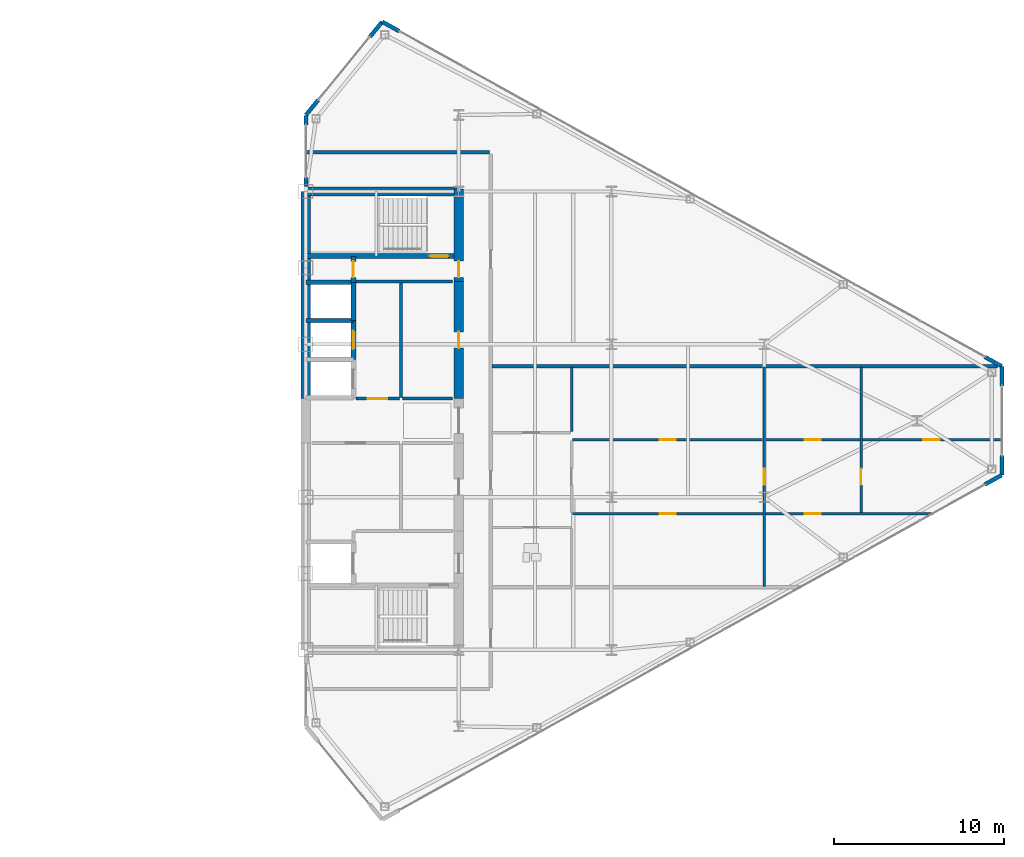
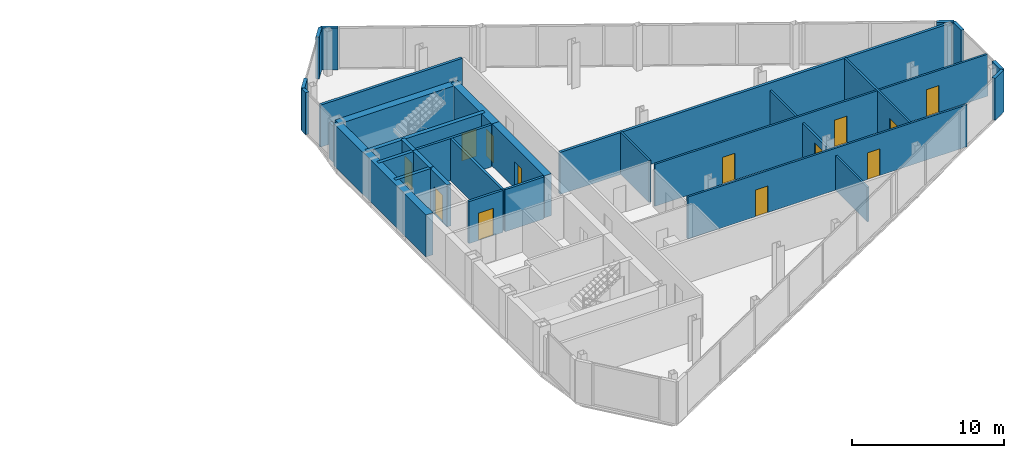
# One storey, part 22 of 25: 30 walls, 13 doors, 13 openings.
"""IFC4 building model written with IfcOpenShell, lengths in metres."""

from ifc_helpers import new_model, si_unit, direction, frame, frame_2d, origin, place, context, subcontext, project, spatial, rectangle, extrude, source, transform, mapped, material, layer, layer_set, type_object, type_shapes, element, fill, save


model = new_model("IFC4")

# Units and contexts
model_context = context("Model", 3, precision=1e-05, world=origin(), true_north=direction((0.0, 1.0)))
body_context = subcontext(model_context, "Body", "Model", "MODEL_VIEW")
ifc_project = project(units=[si_unit("LENGTHUNIT", "METRE"), si_unit("AREAUNIT", "SQUARE_METRE"), si_unit("VOLUMEUNIT", "CUBIC_METRE"), si_unit("PLANEANGLEUNIT", "RADIAN"), si_unit("MASSUNIT", "GRAM", prefix="KILO")], contexts=[model_context])

# Site, building, storey
site_placement = place(None, origin())
site = spatial("IfcSite", under=ifc_project, at=site_placement, CompositionType="ELEMENT")
building_placement = place(site_placement, origin())
building = spatial("IfcBuilding", under=site, at=building_placement, Name="Seokmaru Belvedere", CompositionType="ELEMENT")
storey_placement = place(building_placement, frame((0.0, 0.0, 185.10009765625)))
storey = spatial("IfcBuildingStorey", under=building, at=storey_placement, Name="L49", CompositionType="ELEMENT", Elevation=185.10009765625)

# Wall, openings, doors
ifc_material_1 = material(Name="Fire-Rated Gypsum Shaftwall")
ifc_layer_1 = layer(ifc_material_1, 0.14990234375)
ifc_layer_set_1 = layer_set([ifc_layer_1], Name="Fire-Rated Gypsum Shaftwall")
wall_type_1 = type_object("IfcWallType", Name="Apartment Fire-Acoustic Room Partition 150", PredefinedType="PARTITIONING", material=ifc_layer_set_1)
wall_1_placement = place(storey_placement, frame((43.199951171875, -5.469970703125, 0.0), z_axis=(0.0, 0.0, 1.0), x_axis=(1.0, 0.0, 0.0)))
wall_1 = element("IfcWall", 1, at=wall_1_placement, inside=storey, type_object=wall_type_1, Name="L49 Interior Partition 006", PredefinedType="PARTITIONING", context=body_context, shape_type="SweptSolid", body=[
    extrude(rectangle(XDim=21.259033203125, YDim=0.14990234375, at=frame_2d((10.62939453125, 0.0))), origin(), (0.0, 0.0, 1.0), 3.3798828125),
])
opening_1_placement = place(wall_1_placement, frame((5.14990234375, 0.0, 0.0)))
opening_1 = element("IfcOpeningElement", 2, at=opening_1_placement, cuts=wall_1, Name="Opening D05", PredefinedType="OPENING", context=body_context, shape_type="SweptSolid", body=[
    extrude(rectangle(XDim=0.949951171875, YDim=2.14990234375, at=frame_2d((0.47509765625, 1.074951171875))), frame((0.0, 0.0849609375, 0.0), z_axis=(0.0, -1.0, 0.0), x_axis=(1.0, 0.0, 0.0)), (0.0, 0.0, 1.0), 0.169921875),
])
opening_2_placement = place(wall_1_placement, frame((13.675048828125, 0.0, 0.0)))
opening_2 = element("IfcOpeningElement", 3, at=opening_2_placement, cuts=wall_1, Name="Opening D05", PredefinedType="OPENING", context=body_context, shape_type="SweptSolid", body=[
    extrude(rectangle(XDim=0.949951171875, YDim=2.14990234375, at=frame_2d((0.47509765625, 1.074951171875))), frame((0.0, 0.0849609375, 0.0), z_axis=(0.0, -1.0, 0.0), x_axis=(1.0, 0.0, 0.0)), (0.0, 0.0, 1.0), 0.169921875),
])
ifc_material_2 = material(Name="Engineered White Oak Timber", Category="wood")
door_type_1 = type_object("IfcDoorType", Name="Apartment Interior Fire-Rated Oak Door 950x2150", OperationType="NOTDEFINED", PredefinedType="DOOR", material=ifc_material_2)
shared_shape_1 = source(origin(), body_context, "Body", "SweptSolid", [
    extrude(rectangle(XDim=0.949951171875, YDim=2.14990234375, at=frame_2d((0.47509765625, 1.074951171875))), frame((0.0, 0.02490234375, 0.0), z_axis=(0.0, -1.0, 0.0), x_axis=(1.0, 0.0, 0.0)), (0.0, 0.0, 1.0), 0.050048828125),
])
type_shapes(door_type_1, [shared_shape_1])
door_1_placement = place(opening_1_placement, origin())
door_1 = element("IfcDoor", 4, at=door_1_placement, inside=storey, type_object=door_type_1, Name="L49 Interior Door 019", OperationType="SINGLE_SWING_RIGHT", OverallHeight=2.14990234375, OverallWidth=0.949951171875, PredefinedType="DOOR", context=body_context, shape_type="MappedRepresentation", body=[
    mapped(shared_shape_1, transform((0.0, 0.0, 0.0), scale=1.0)),
])
fill(opening_1, door_1)
door_2_placement = place(opening_2_placement, origin())
door_2 = element("IfcDoor", 5, at=door_2_placement, inside=storey, type_object=door_type_1, Name="L49 Interior Door 021", OperationType="SINGLE_SWING_RIGHT", OverallHeight=2.14990234375, OverallWidth=0.949951171875, PredefinedType="DOOR", context=body_context, shape_type="MappedRepresentation", body=[
    mapped(shared_shape_1, transform((0.0, 0.0, 0.0), scale=1.0)),
])
fill(opening_2, door_2)

wall_2_placement = place(storey_placement, frame((43.199951171875, -1.1298828125, 0.0), z_axis=(0.0, 0.0, 1.0), x_axis=(1.0, 0.0, 0.0)))
wall_2 = element("IfcWall", 6, at=wall_2_placement, inside=storey, type_object=wall_type_1, Name="L49 Interior Partition 009", PredefinedType="PARTITIONING", context=body_context, shape_type="SweptSolid", body=[
    extrude(rectangle(XDim=25.3349609375, YDim=0.14990234375, at=frame_2d((12.66748046875, 0.0))), origin(), (0.0, 0.0, 1.0), 3.3798828125),
])
opening_3_placement = place(wall_2_placement, frame((5.14990234375, 0.0, 0.0)))
opening_3 = element("IfcOpeningElement", 7, at=opening_3_placement, cuts=wall_2, Name="Opening D05", PredefinedType="OPENING", context=body_context, shape_type="SweptSolid", body=[
    extrude(rectangle(XDim=0.949951171875, YDim=2.14990234375, at=frame_2d((0.47509765625, 1.074951171875))), frame((0.0, 0.0849609375, 0.0), z_axis=(0.0, -1.0, 0.0), x_axis=(1.0, 0.0, 0.0)), (0.0, 0.0, 1.0), 0.169921875),
])
opening_4_placement = place(wall_2_placement, frame((20.675048828125, 0.0, 0.0)))
opening_4 = element("IfcOpeningElement", 8, at=opening_4_placement, cuts=wall_2, Name="Opening D05", PredefinedType="OPENING", context=body_context, shape_type="SweptSolid", body=[
    extrude(rectangle(XDim=0.949951171875, YDim=2.14990234375, at=frame_2d((0.47509765625, 1.074951171875))), frame((0.0, 0.0849609375, 0.0), z_axis=(0.0, -1.0, 0.0), x_axis=(1.0, 0.0, 0.0)), (0.0, 0.0, 1.0), 0.169921875),
])
opening_5_placement = place(wall_2_placement, frame((13.675048828125, 0.0, 0.0)))
opening_5 = element("IfcOpeningElement", 9, at=opening_5_placement, cuts=wall_2, Name="Opening D05", PredefinedType="OPENING", context=body_context, shape_type="SweptSolid", body=[
    extrude(rectangle(XDim=0.949951171875, YDim=2.14990234375, at=frame_2d((0.47509765625, 1.074951171875))), frame((0.0, 0.0849609375, 0.0), z_axis=(0.0, -1.0, 0.0), x_axis=(1.0, 0.0, 0.0)), (0.0, 0.0, 1.0), 0.169921875),
])
door_3_placement = place(opening_3_placement, origin())
door_3 = element("IfcDoor", 10, at=door_3_placement, inside=storey, type_object=door_type_1, Name="L49 Interior Door 020", OperationType="SINGLE_SWING_LEFT", OverallHeight=2.14990234375, OverallWidth=0.949951171875, PredefinedType="DOOR", context=body_context, shape_type="MappedRepresentation", body=[
    mapped(shared_shape_1, transform((0.0, 0.0, 0.0), scale=1.0)),
])
fill(opening_3, door_3)
door_4_placement = place(opening_4_placement, origin())
door_4 = element("IfcDoor", 11, at=door_4_placement, inside=storey, type_object=door_type_1, Name="L49 Interior Door 023", OperationType="SINGLE_SWING_RIGHT", OverallHeight=2.14990234375, OverallWidth=0.949951171875, PredefinedType="DOOR", context=body_context, shape_type="MappedRepresentation", body=[
    mapped(shared_shape_1, transform((0.0, 0.0, 0.0), scale=1.0)),
])
fill(opening_4, door_4)
door_5_placement = place(opening_5_placement, origin())
door_5 = element("IfcDoor", 12, at=door_5_placement, inside=storey, type_object=door_type_1, Name="L49 Interior Door 024", OperationType="SINGLE_SWING_RIGHT", OverallHeight=2.14990234375, OverallWidth=0.949951171875, PredefinedType="DOOR", context=body_context, shape_type="MappedRepresentation", body=[
    mapped(shared_shape_1, transform((0.0, 0.0, 0.0), scale=1.0)),
])
fill(opening_5, door_5)

# Wall
wall_3_placement = place(storey_placement, frame((43.14990234375, -0.64794921875, 0.0), z_axis=(0.0, 0.0, 1.0), x_axis=(0.0, 1.0, 0.0)))
element("IfcWall", 13, at=wall_3_placement, inside=storey, type_object=wall_type_1, Name="L49 Interior Partition 025", PredefinedType="PARTITIONING", context=body_context, shape_type="SweptSolid", body=[
    extrude(rectangle(XDim=3.7978515625, YDim=0.14990234375, at=frame_2d((1.89892578125, 0.0))), origin(), (0.0, 0.0, 1.0), 3.3798828125),
])

# Wall, opening, door
wall_4_placement = place(storey_placement, frame((54.5, -9.75, 0.0), z_axis=(0.0, 0.0, 1.0), x_axis=(0.0, 1.0, 0.0)))
wall_4 = element("IfcWall", 14, at=wall_4_placement, inside=storey, type_object=wall_type_1, Name="L49 Interior Partition 026", PredefinedType="PARTITIONING", context=body_context, shape_type="SweptSolid", body=[
    extrude(rectangle(XDim=12.89990234375, YDim=0.14990234375, at=frame_2d((6.449951171875, 0.0))), origin(), (0.0, 0.0, 1.0), 2.77978515625),
])
opening_6_placement = place(wall_4_placement, frame((5.97509765625, 0.0, 0.0)))
opening_6 = element("IfcOpeningElement", 15, at=opening_6_placement, cuts=wall_4, Name="Opening D05", PredefinedType="OPENING", context=body_context, shape_type="SweptSolid", body=[
    extrude(rectangle(XDim=0.949951171875, YDim=2.14990234375, at=frame_2d((0.47509765625, 1.074951171875))), frame((0.0, 0.0849609375, 0.0), z_axis=(0.0, -1.0, 0.0), x_axis=(1.0, 0.0, 0.0)), (0.0, 0.0, 1.0), 0.169921875),
])
door_6_placement = place(opening_6_placement, origin())
door_6 = element("IfcDoor", 16, at=door_6_placement, inside=storey, type_object=door_type_1, Name="L49 Interior Door 018", OperationType="SINGLE_SWING_LEFT", OverallHeight=2.14990234375, OverallWidth=0.949951171875, PredefinedType="DOOR", context=body_context, shape_type="MappedRepresentation", body=[
    mapped(shared_shape_1, transform((0.0, 0.0, 0.0), scale=1.0)),
])
fill(opening_6, door_6)

wall_5_placement = place(storey_placement, frame((60.199951171875, -5.4169921875, 0.0), z_axis=(0.0, 0.0, 1.0), x_axis=(0.0, 1.0, 0.0)))
wall_5 = element("IfcWall", 17, at=wall_5_placement, inside=storey, type_object=wall_type_1, Name="L49 Interior Partition 027", PredefinedType="PARTITIONING", context=body_context, shape_type="SweptSolid", body=[
    extrude(rectangle(XDim=8.56689453125, YDim=0.14990234375, at=frame_2d((4.283447265625, 0.0))), origin(), (0.0, 0.0, 1.0), 3.3798828125),
])
opening_7_placement = place(wall_5_placement, frame((1.64208984375, 0.0, 0.0)))
opening_7 = element("IfcOpeningElement", 18, at=opening_7_placement, cuts=wall_5, Name="Opening D05", PredefinedType="OPENING", context=body_context, shape_type="SweptSolid", body=[
    extrude(rectangle(XDim=0.949951171875, YDim=2.14990234375, at=frame_2d((0.47509765625, 1.074951171875))), frame((0.0, 0.0849609375, 0.0), z_axis=(0.0, -1.0, 0.0), x_axis=(1.0, 0.0, 0.0)), (0.0, 0.0, 1.0), 0.169921875),
])
door_7_placement = place(opening_7_placement, origin())
door_7 = element("IfcDoor", 19, at=door_7_placement, inside=storey, type_object=door_type_1, Name="L49 Interior Door 022", OperationType="SINGLE_SWING_LEFT", OverallHeight=2.14990234375, OverallWidth=0.949951171875, PredefinedType="DOOR", context=body_context, shape_type="MappedRepresentation", body=[
    mapped(shared_shape_1, transform((0.0, 0.0, 0.0), scale=1.0)),
])
fill(opening_7, door_7)

# Walls
ifc_layer_2 = layer(ifc_material_1, 0.179931640625)
ifc_layer_set_2 = layer_set([ifc_layer_2], Name="Fire-Rated Gypsum Shaftwall")
wall_type_2 = type_object("IfcWallType", Name="Core Service Fire Partition 180", PredefinedType="PARTITIONING", material=ifc_layer_set_2)
wall_6_placement = place(storey_placement, frame((30.449951171875, 8.199951171875, 0.0), z_axis=(0.0, 0.0, 1.0), x_axis=(1.0, 0.0, 0.0)))
element("IfcWall", 20, at=wall_6_placement, inside=storey, type_object=wall_type_2, Name="L49 East Smokeproof Vestibule Partition", PredefinedType="PARTITIONING", context=body_context, shape_type="SweptSolid", body=[
    extrude(rectangle(XDim=5.699951171875, YDim=0.179931640625, at=frame_2d((2.85009765625, 0.0))), origin(), (0.0, 0.0, 1.0), 3.3798828125),
])
wall_7_placement = place(storey_placement, frame((33.10009765625, 1.3798828125, 0.0), z_axis=(0.0, 0.0, 1.0), x_axis=(0.0, 1.0, 0.0)))
element("IfcWall", 21, at=wall_7_placement, inside=storey, type_object=wall_type_2, Name="L49 East North Core Service Back Wall", PredefinedType="PARTITIONING", context=body_context, shape_type="SweptSolid", body=[
    extrude(rectangle(XDim=6.740234375, YDim=0.179931640625, at=frame_2d((3.3701171875, 0.0))), origin(), (0.0, 0.0, 1.0), 3.3798828125),
])

# Wall, opening, door
wall_8_placement = place(storey_placement, frame((30.449951171875, 1.300048828125, 0.0), z_axis=(0.0, 0.0, 1.0), x_axis=(1.0, 0.0, 0.0)))
wall_8 = element("IfcWall", 22, at=wall_8_placement, inside=storey, type_object=wall_type_2, Name="L49 East North Lift Lobby Foyer Wall", PredefinedType="PARTITIONING", context=body_context, shape_type="SweptSolid", body=[
    extrude(rectangle(XDim=2.570068359375, YDim=0.179931640625, at=frame_2d((1.28515625, 0.0))), origin(), (0.0, 0.0, 1.0), 3.3798828125),
])
opening_8_placement = place(wall_8_placement, frame((0.7099609375, 0.0, 0.0)))
opening_8 = element("IfcOpeningElement", 23, at=opening_8_placement, cuts=wall_8, Name="Opening D02", PredefinedType="OPENING", context=body_context, shape_type="SweptSolid", body=[
    extrude(rectangle(XDim=1.14990234375, YDim=2.199951171875, at=frame_2d((0.574951171875, 1.10009765625))), frame((0.0, 0.10009765625, 0.0), z_axis=(0.0, -1.0, 0.0), x_axis=(1.0, 0.0, 0.0)), (0.0, 0.0, 1.0), 0.199951171875),
])
ifc_material_3 = material(Name="Fire-Rated Steel Leaf", Category="steel")
door_type_2 = type_object("IfcDoorType", Name="Lobby and Vestibule Fire Door 1150x2200", OperationType="NOTDEFINED", PredefinedType="DOOR", material=ifc_material_3)
shared_shape_2 = source(origin(), body_context, "Body", "SweptSolid", [
    extrude(rectangle(XDim=1.14990234375, YDim=2.199951171875, at=frame_2d((0.574951171875, 1.10009765625))), frame((0.0, 0.02490234375, 0.0), z_axis=(0.0, -1.0, 0.0), x_axis=(1.0, 0.0, 0.0)), (0.0, 0.0, 1.0), 0.050048828125),
])
type_shapes(door_type_2, [shared_shape_2])
door_8_placement = place(opening_8_placement, origin())
door_8 = element("IfcDoor", 24, at=door_8_placement, inside=storey, type_object=door_type_2, Name="L49 East North Lift Lobby Door", OperationType="SINGLE_SWING_LEFT", OverallHeight=2.199951171875, OverallWidth=1.14990234375, PredefinedType="DOOR", context=body_context, shape_type="MappedRepresentation", body=[
    mapped(shared_shape_2, transform((0.0, 0.0, 0.0), scale=1.0)),
])
fill(opening_8, door_8)

# Walls
wall_9_placement = place(storey_placement, frame((33.199951171875, 1.300048828125, 0.0), z_axis=(0.0, 0.0, 1.0), x_axis=(1.0, 0.0, 0.0)))
element("IfcWall", 25, at=wall_9_placement, inside=storey, type_object=wall_type_2, Name="L49 East Foyer Side Wall N", PredefinedType="PARTITIONING", context=body_context, shape_type="SweptSolid", body=[
    extrude(rectangle(XDim=2.949951171875, YDim=0.179931640625, at=frame_2d((1.47509765625, 0.0))), origin(), (0.0, 0.0, 1.0), 3.3798828125),
])
ifc_material_4 = material(Name="Concrete C50 (50 MPa)", Category="concrete")
ifc_layer_3 = layer(ifc_material_4, 0.25)
ifc_layer_set_3 = layer_set([ifc_layer_3], Name="Concrete C50 (50 MPa)")
wall_type_3 = type_object("IfcWallType", Name="Hoistway Transverse Concrete Divider Wall 250", PredefinedType="SHEAR", material=ifc_layer_set_3)
for number, where, z_axis, x_axis, name in (
    (26, (27.5, 5.89990234375, 0.0), (0.0, 0.0, 1.0), (1.0, 0.0, 0.0), "L49 East Hoistway Divider Core Wall 4"),
    (27, (27.5, 8.14990234375, 0.0), (0.0, 0.0, 1.0), (1.0, 0.0, 0.0), "L49 East Hoistway Divider Core Wall 5"),
):
    element("IfcWall", number, at=place(storey_placement, frame(where, z_axis=z_axis, x_axis=x_axis)), inside=storey, type_object=wall_type_3, Name=name, PredefinedType="SHEAR", context=body_context, shape_type="SweptSolid", body=[
        extrude(rectangle(XDim=2.800048828125, YDim=0.25, at=frame_2d((1.39990234375, 0.0))), origin(), (0.0, 0.0, 1.0), 3.3798828125),
    ])
ifc_layer_4 = layer(ifc_material_1, 0.199951171875)
ifc_layer_set_4 = layer_set([ifc_layer_4], Name="Fire-Rated Gypsum Shaftwall")
wall_type_4 = type_object("IfcWallType", Name="Inter-Tenancy Fire Compartment Partition 200", PredefinedType="PARTITIONING", material=ifc_layer_set_4)
wall_10_placement = place(storey_placement, frame((38.47998046875, 3.199951171875, 0.0), z_axis=(0.0, 0.0, 1.0), x_axis=(1.0, 0.0, 0.0)))
element("IfcWall", 28, at=wall_10_placement, inside=storey, type_object=wall_type_4, Name="L49 Interior Partition 013", PredefinedType="PARTITIONING", context=body_context, shape_type="SweptSolid", body=[
    extrude(rectangle(XDim=29.762939453125, YDim=0.199951171875, at=frame_2d((14.88134765625, 0.0))), origin(), (0.0, 0.0, 1.0), 3.3798828125),
])
wall_11_placement = place(storey_placement, frame((27.5, 15.800048828125, 0.0), z_axis=(0.0, 0.0, 1.0), x_axis=(1.0, 0.0, 0.0)))
element("IfcWall", 29, at=wall_11_placement, inside=storey, type_object=wall_type_4, Name="L49 Interior Partition 016", PredefinedType="PARTITIONING", context=body_context, shape_type="SweptSolid", body=[
    extrude(rectangle(XDim=10.81494140625, YDim=0.199951171875, at=frame_2d((5.407470703125, 0.0))), origin(), (0.0, 0.0, 1.0), 3.3798828125),
])

# Wall, opening, door
ifc_layer_5 = layer(ifc_material_4, 0.300048828125)
ifc_layer_set_5 = layer_set([ifc_layer_5], Name="Concrete C50 (50 MPa)")
wall_type_5 = type_object("IfcWallType", Name="Internal Core Stair and Hoistway Wall 300", PredefinedType="SHEAR", material=ifc_layer_set_5)
wall_12_placement = place(storey_placement, frame((27.5, 9.699951171875, 0.0), z_axis=(0.0, 0.0, 1.0), x_axis=(1.0, 0.0, 0.0)))
wall_12 = element("IfcWall", 30, at=wall_12_placement, inside=storey, type_object=wall_type_5, Name="L49 East Stair ST-2 Enclosure Wall", PredefinedType="SHEAR", context=body_context, shape_type="SweptSolid", body=[
    extrude(rectangle(XDim=9.0, YDim=0.300048828125, at=frame_2d((4.5, 0.0))), origin(), (0.0, 0.0, 1.0), 3.3798828125),
])
opening_9_placement = place(wall_12_placement, frame((7.300048828125, 0.0, 0.0)))
opening_9 = element("IfcOpeningElement", 31, at=opening_9_placement, cuts=wall_12, Name="Opening D01", PredefinedType="OPENING", context=body_context, shape_type="SweptSolid", body=[
    extrude(rectangle(XDim=1.10009765625, YDim=2.199951171875, at=frame_2d((0.550048828125, 1.10009765625))), frame((0.0, 0.16015625, 0.0), z_axis=(0.0, -1.0, 0.0), x_axis=(1.0, 0.0, 0.0)), (0.0, 0.0, 1.0), 0.320068359375),
])
door_type_3 = type_object("IfcDoorType", Name="Special Escape Stair Smokeproof Fire Door 1100x2200", OperationType="NOTDEFINED", PredefinedType="DOOR", material=ifc_material_3)
shared_shape_3 = source(origin(), body_context, "Body", "SweptSolid", [
    extrude(rectangle(XDim=1.10009765625, YDim=2.199951171875, at=frame_2d((0.550048828125, 1.10009765625))), frame((0.0, 0.02490234375, 0.0), z_axis=(0.0, -1.0, 0.0), x_axis=(1.0, 0.0, 0.0)), (0.0, 0.0, 1.0), 0.050048828125),
])
type_shapes(door_type_3, [shared_shape_3])
door_9_placement = place(opening_9_placement, origin())
door_9 = element("IfcDoor", 32, at=door_9_placement, inside=storey, type_object=door_type_3, Name="L49 East Special Escape Stair ST-2 Door", OperationType="SINGLE_SWING_LEFT", OverallHeight=2.199951171875, OverallWidth=1.10009765625, PredefinedType="DOOR", context=body_context, shape_type="MappedRepresentation", body=[
    mapped(shared_shape_3, transform((0.0, 0.0, 0.0), scale=1.0)),
])
fill(opening_9, door_9)

wall_13_placement = place(storey_placement, frame((30.300048828125, 3.60009765625, 0.0), z_axis=(0.0, 0.0, 1.0), x_axis=(0.0, 1.0, 0.0)))
wall_13 = element("IfcWall", 33, at=wall_13_placement, inside=storey, type_object=wall_type_5, Name="L49 East North Hoistway Wall PH2", PredefinedType="SHEAR", context=body_context, shape_type="SweptSolid", body=[
    extrude(rectangle(XDim=2.2998046875, YDim=0.300048828125, at=frame_2d((1.14990234375, 0.0))), origin(), (0.0, 0.0, 1.0), 3.3798828125),
])
opening_10_placement = place(wall_13_placement, frame((0.60009765625, 0.0, 0.0)))
opening_10 = element("IfcOpeningElement", 34, at=opening_10_placement, cuts=wall_13, Name="Opening LD1", PredefinedType="OPENING", context=body_context, shape_type="SweptSolid", body=[
    extrude(rectangle(XDim=1.10009765625, YDim=2.199951171875, at=frame_2d((0.550048828125, 1.10009765625))), frame((0.0, 0.16015625, 0.0), z_axis=(0.0, -1.0, 0.0), x_axis=(1.0, 0.0, 0.0)), (0.0, 0.0, 1.0), 0.320068359375),
])
ifc_material_5 = material(Name="Stainless Steel 316", Category="steel")
door_type_4 = type_object("IfcDoorType", Name="Passenger Lift Sliding Landing Door 1100x2200", OperationType="DOUBLE_DOOR_SLIDING", PredefinedType="DOOR", material=ifc_material_5)
shared_shape_4 = source(origin(), body_context, "Body", "SweptSolid", [
    extrude(rectangle(XDim=1.10009765625, YDim=2.199951171875, at=frame_2d((0.550048828125, 1.10009765625))), frame((0.0, 0.02490234375, 0.0), z_axis=(0.0, -1.0, 0.0), x_axis=(1.0, 0.0, 0.0)), (0.0, 0.0, 1.0), 0.050048828125),
])
type_shapes(door_type_4, [shared_shape_4])
door_10_placement = place(opening_10_placement, origin())
door_10 = element("IfcDoor", 35, at=door_10_placement, inside=storey, type_object=door_type_4, Name="L49 East High-Rise Lift PH-2 Landing Door", OperationType="DOUBLE_DOOR_SLIDING", OverallHeight=2.199951171875, OverallWidth=1.10009765625, PredefinedType="DOOR", context=body_context, shape_type="MappedRepresentation", body=[
    mapped(shared_shape_4, transform((0.0, 0.0, 0.0), scale=1.0)),
])
fill(opening_10, door_10)

# Wall
wall_14_placement = place(storey_placement, frame((30.300048828125, 5.89990234375, 0.0), z_axis=(0.0, 0.0, 1.0), x_axis=(0.0, 1.0, 0.0)))
element("IfcWall", 36, at=wall_14_placement, inside=storey, type_object=wall_type_5, Name="L49 East North Hoistway Wall OBS", PredefinedType="SHEAR", context=body_context, shape_type="SweptSolid", body=[
    extrude(rectangle(XDim=2.25, YDim=0.300048828125, at=frame_2d((1.125, 0.0))), origin(), (0.0, 0.0, 1.0), 3.3798828125),
])

# Wall, opening, door
wall_15_placement = place(storey_placement, frame((30.300048828125, 8.14990234375, 0.0), z_axis=(0.0, 0.0, 1.0), x_axis=(0.0, 1.0, 0.0)))
wall_15 = element("IfcWall", 37, at=wall_15_placement, inside=storey, type_object=wall_type_5, Name="L49 East Electrical Riser Front Wall", PredefinedType="SHEAR", context=body_context, shape_type="SweptSolid", body=[
    extrude(rectangle(XDim=1.530029296875, YDim=0.300048828125, at=frame_2d((0.76513671875, 0.0))), origin(), (0.0, 0.0, 1.0), 3.3798828125),
])
opening_11_placement = place(wall_15_placement, frame((0.284912109375, 0.0, 0.0)))
opening_11 = element("IfcOpeningElement", 38, at=opening_11_placement, cuts=wall_15, Name="Opening D04", PredefinedType="OPENING", context=body_context, shape_type="SweptSolid", body=[
    extrude(rectangle(XDim=0.949951171875, YDim=2.14990234375, at=frame_2d((0.47509765625, 1.074951171875))), frame((0.0, 0.16015625, 0.0), z_axis=(0.0, -1.0, 0.0), x_axis=(1.0, 0.0, 0.0)), (0.0, 0.0, 1.0), 0.320068359375),
])
door_type_5 = type_object("IfcDoorType", Name="Core Service Room Fire Door 950x2150", OperationType="NOTDEFINED", PredefinedType="DOOR", material=ifc_material_3)
shared_shape_5 = source(origin(), body_context, "Body", "SweptSolid", [
    extrude(rectangle(XDim=0.949951171875, YDim=2.14990234375, at=frame_2d((0.47509765625, 1.074951171875))), frame((0.0, 0.02490234375, 0.0), z_axis=(0.0, -1.0, 0.0), x_axis=(1.0, 0.0, 0.0)), (0.0, 0.0, 1.0), 0.050048828125),
])
type_shapes(door_type_5, [shared_shape_5])
door_11_placement = place(opening_11_placement, origin())
door_11 = element("IfcDoor", 39, at=door_11_placement, inside=storey, type_object=door_type_5, Name="L49 East Electrical Riser Access Door", OperationType="SINGLE_SWING_RIGHT", OverallHeight=2.14990234375, OverallWidth=0.949951171875, PredefinedType="DOOR", context=body_context, shape_type="MappedRepresentation", body=[
    mapped(shared_shape_5, transform((0.0, 0.0, 0.0), scale=1.0)),
])
fill(opening_11, door_11)

# Walls
ifc_layer_6 = layer(ifc_material_4, 0.550048828125)
ifc_layer_set_6 = layer_set([ifc_layer_6], Name="Concrete C50 (50 MPa)")
wall_type_6 = type_object("IfcWallType", Name="Mid-High Reinforced Concrete Core Wall 550", PredefinedType="SHEAR", material=ifc_layer_set_6)
wall_16_placement = place(storey_placement, frame((27.5, 1.300048828125, 0.0), z_axis=(0.0, 0.0, 1.0), x_axis=(0.0, 1.0, 0.0)))
element("IfcWall", 40, at=wall_16_placement, inside=storey, type_object=wall_type_6, Name="L49 East Portal Spine Core Wall North", PredefinedType="SHEAR", context=body_context, shape_type="SweptSolid", body=[
    extrude(rectangle(XDim=12.199951171875, YDim=0.550048828125, at=frame_2d((6.10009765625, 0.0))), origin(), (0.0, 0.0, 1.0), 3.3798828125),
])
wall_17_placement = place(storey_placement, frame((27.5, 13.5, 0.0), z_axis=(0.0, 0.0, 1.0), x_axis=(1.0, 0.0, 0.0)))
element("IfcWall", 41, at=wall_17_placement, inside=storey, type_object=wall_type_6, Name="L49 East North Core Wall", PredefinedType="SHEAR", context=body_context, shape_type="SweptSolid", body=[
    extrude(rectangle(XDim=9.0, YDim=0.550048828125, at=frame_2d((4.5, 0.0))), origin(), (0.0, 0.0, 1.0), 3.3798828125),
])

# Wall, opening, door
wall_18_placement = place(storey_placement, frame((36.5, 8.199951171875, 0.0), z_axis=(0.0, 0.0, 1.0), x_axis=(0.0, 1.0, 0.0)))
wall_18 = element("IfcWall", 42, at=wall_18_placement, inside=storey, type_object=wall_type_6, Name="L49 East West Core Wall VST", PredefinedType="SHEAR", context=body_context, shape_type="SweptSolid", body=[
    extrude(rectangle(XDim=5.449951171875, YDim=0.550048828125, at=frame_2d((2.72509765625, 0.0))), origin(), (0.0, 0.0, 1.0), 3.3798828125),
])
opening_12_placement = place(wall_18_placement, frame((0.2451171875, 0.0, 0.0)))
opening_12 = element("IfcOpeningElement", 43, at=opening_12_placement, cuts=wall_18, Name="Opening D04", PredefinedType="OPENING", context=body_context, shape_type="SweptSolid", body=[
    extrude(rectangle(XDim=0.949951171875, YDim=2.14990234375, at=frame_2d((0.47509765625, 1.074951171875))), frame((0.0, 0.28515625, 0.0), z_axis=(0.0, -1.0, 0.0), x_axis=(1.0, 0.0, 0.0)), (0.0, 0.0, 1.0), 0.570068359375),
])
door_12_placement = place(opening_12_placement, origin())
door_12 = element("IfcDoor", 44, at=door_12_placement, inside=storey, type_object=door_type_5, Name="L49 East Smokeproof Vestibule Door", OperationType="SINGLE_SWING_LEFT", OverallHeight=2.14990234375, OverallWidth=0.949951171875, PredefinedType="DOOR", context=body_context, shape_type="MappedRepresentation", body=[
    mapped(shared_shape_5, transform((0.0, 0.0, 0.0), scale=1.0)),
])
fill(opening_12, door_12)

wall_19_placement = place(storey_placement, frame((36.5, 1.300048828125, 0.0), z_axis=(0.0, 0.0, 1.0), x_axis=(0.0, 1.0, 0.0)))
wall_19 = element("IfcWall", 45, at=wall_19_placement, inside=storey, type_object=wall_type_6, Name="L49 East West Core Wall CS2", PredefinedType="SHEAR", context=body_context, shape_type="SweptSolid", body=[
    extrude(rectangle(XDim=6.89990234375, YDim=0.550048828125, at=frame_2d((3.449951171875, 0.0))), origin(), (0.0, 0.0, 1.0), 3.3798828125),
])
opening_13_placement = place(wall_19_placement, frame((2.97509765625, 0.0, 0.0)))
opening_13 = element("IfcOpeningElement", 46, at=opening_13_placement, cuts=wall_19, Name="Opening D04", PredefinedType="OPENING", context=body_context, shape_type="SweptSolid", body=[
    extrude(rectangle(XDim=0.949951171875, YDim=2.14990234375, at=frame_2d((0.47509765625, 1.074951171875))), frame((0.0, 0.28515625, 0.0), z_axis=(0.0, -1.0, 0.0), x_axis=(1.0, 0.0, 0.0)), (0.0, 0.0, 1.0), 0.570068359375),
])
door_13_placement = place(opening_13_placement, origin())
door_13 = element("IfcDoor", 47, at=door_13_placement, inside=storey, type_object=door_type_5, Name="L49 East Core Service Room Door 2", OperationType="SINGLE_SWING_LEFT", OverallHeight=2.14990234375, OverallWidth=0.949951171875, PredefinedType="DOOR", context=body_context, shape_type="MappedRepresentation", body=[
    mapped(shared_shape_5, transform((0.0, 0.0, 0.0), scale=1.0)),
])
fill(opening_13, door_13)

# Walls
ifc_material_6 = material(Name="Anodised Bronze Aluminium", Category="aluminium")
ifc_layer_7 = layer(ifc_material_6, 0.239990234375)
ifc_layer_set_7 = layer_set([ifc_layer_7], Name="Anodised Bronze Aluminium")
wall_type_7 = type_object("IfcWallType", Name="Tower Corner Spandrel Closure Wall 240", PredefinedType="SOLIDWALL", material=ifc_layer_set_7)
for number, where, z_axis, x_axis, name in (
    (48, (67.4951171875, -3.759033203125, 0.0), (0.0, 0.0, 1.0), (0.87385402111, 0.486188389196, 0.0), "L49 E Corner Closure Pier 1B"),
    (49, (68.5, -3.18994140625, 0.0), (0.0, 0.0, 1.0), (0.0, 1.0, 0.0), "L49 E Corner Closure Pier 2A"),
    (50, (68.5, 2.050048828125, 0.0), (0.0, 0.0, 1.0), (0.0, 1.0, 0.0), "L49 E Corner Closure Pier 2B"),
    (51, (68.4912109375, 3.204833984375, 0.0), (0.0, 0.0, 1.0), (-0.87385402111, 0.486188389196, 0.0), "L49 E Corner Closure Pier 3A"),
    (52, (33.0048828125, 22.94091796875, 0.0), (0.0, 0.0, 1.0), (-0.87385402111, 0.486188389196, 0.0), "L49 E Corner Closure Pier 3B"),
):
    element("IfcWall", number, at=place(storey_placement, frame(where, z_axis=z_axis, x_axis=x_axis)), inside=storey, type_object=wall_type_7, Name=name, PredefinedType="SOLIDWALL", context=body_context, shape_type="SweptSolid", body=[
        extrude(rectangle(XDim=1.139892578125, YDim=0.239990234375, at=frame_2d((0.56982421875, 0.0))), origin(), (0.0, 0.0, 1.0), 3.3798828125),
    ])
for number, where, z_axis, x_axis, name in (
    (53, (31.99365234375, 23.4921875, 0.0), (0.0, 0.0, 1.0), (-0.633249451965, -0.77394775766, 0.0), "L49 E Corner Closure Pier 4A"),
    (54, (28.228271484375, 18.89013671875, 0.0), (0.0, 0.0, 1.0), (-0.633249451965, -0.77394775766, 0.0), "L49 E Corner Closure Pier 4B"),
):
    element("IfcWall", number, at=place(storey_placement, frame(where, z_axis=z_axis, x_axis=x_axis)), inside=storey, type_object=wall_type_7, Name=name, PredefinedType="SOLIDWALL", context=body_context, shape_type="SweptSolid", body=[
        extrude(rectangle(XDim=1.14013671875, YDim=0.239990234375, at=frame_2d((0.570068359375, 0.0))), origin(), (0.0, 0.0, 1.0), 3.3798828125),
    ])
wall_20_placement = place(storey_placement, frame((27.5, 13.780029296875, 0.0), z_axis=(0.0, 0.0, 1.0), x_axis=(0.0, 1.0, 0.0)))
element("IfcWall", 55, at=wall_20_placement, inside=storey, type_object=wall_type_7, Name="L49 E Spine Closure Pier 2A", PredefinedType="SOLIDWALL", context=body_context, shape_type="SweptSolid", body=[
    extrude(rectangle(XDim=0.550048828125, YDim=0.239990234375, at=frame_2d((0.27490234375, 0.0))), origin(), (0.0, 0.0, 1.0), 2.8798828125),
])
wall_21_placement = place(storey_placement, frame((27.5, 17.429931640625, 0.0), z_axis=(0.0, 0.0, 1.0), x_axis=(0.0, 1.0, 0.0)))
element("IfcWall", 56, at=wall_21_placement, inside=storey, type_object=wall_type_7, Name="L49 E Spine Closure Pier 2B", PredefinedType="SOLIDWALL", context=body_context, shape_type="SweptSolid", body=[
    extrude(rectangle(XDim=0.550048828125, YDim=0.239990234375, at=frame_2d((0.27490234375, 0.0))), origin(), (0.0, 0.0, 1.0), 3.3798828125),
])

save(model, "model.ifc")
